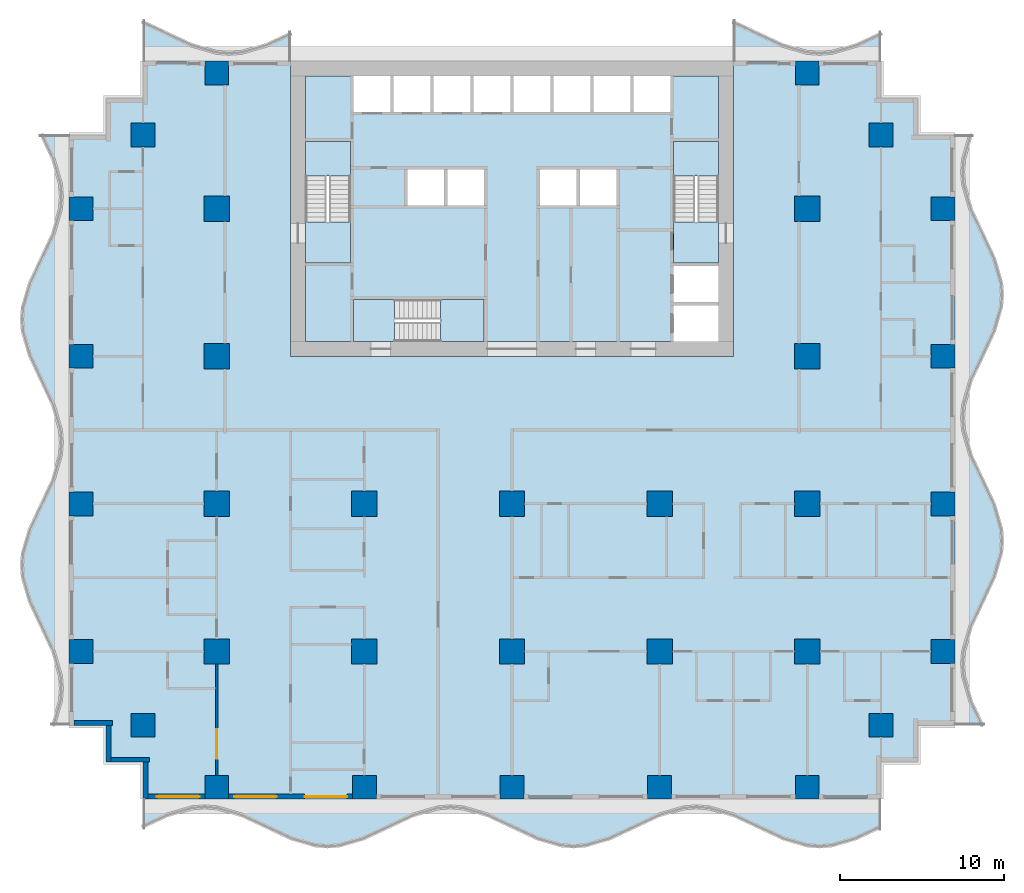
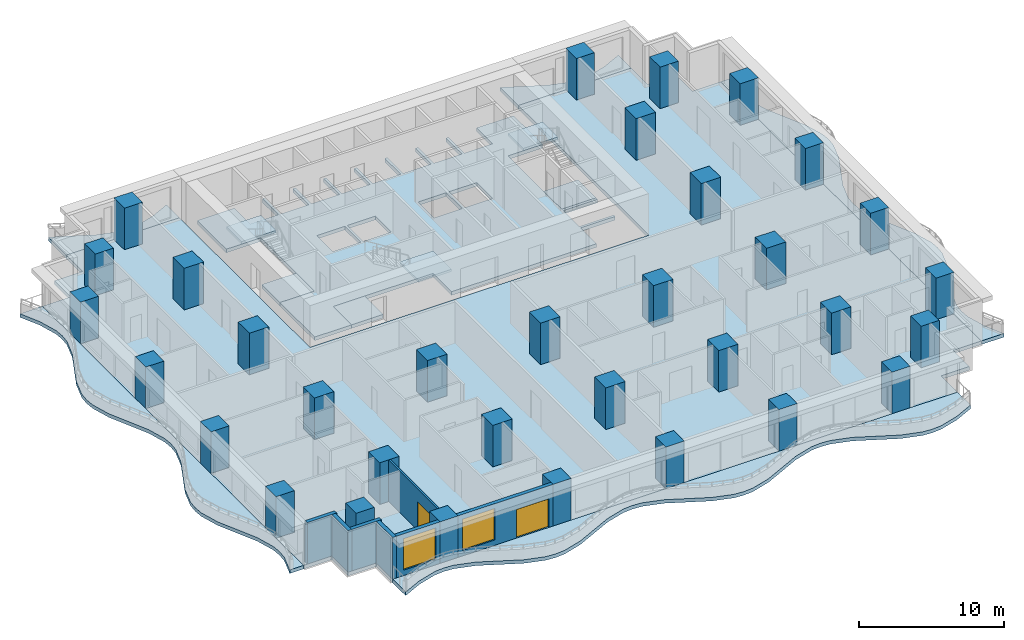
# One storey, part 1 of 14: 33 columns, 13 slabs, 7 walls, 2 doors, 2 windows, 4 openings, 3 elements without a shape of their own.
"""IFC4 building model written with IfcOpenShell, lengths in metres."""

from ifc_helpers import new_model, si_unit, direction, frame, frame_2d, origin, origin_2d, place, context, subcontext, project, spatial, polyline, rectangle, outline, extrude, material, layer, layer_set, material_profile, profile_set, type_object, element, fill, aggregate, save


model = new_model("IFC4")

# Units and contexts
model_context = context("Model", 3, precision=1e-05, world=origin(), true_north=direction((0.0, 1.0)))
body_context = subcontext(model_context, "Body", "Model", "MODEL_VIEW")
ifc_project = project(units=[si_unit("LENGTHUNIT", "METRE"), si_unit("AREAUNIT", "SQUARE_METRE"), si_unit("VOLUMEUNIT", "CUBIC_METRE"), si_unit("PLANEANGLEUNIT", "RADIAN"), si_unit("MASSUNIT", "GRAM", prefix="KILO")], contexts=[model_context])

# Site, building, storey
site_placement = place(None, origin())
site = spatial("IfcSite", under=ifc_project, at=site_placement, CompositionType="ELEMENT")
building_placement = place(site_placement, origin())
building = spatial("IfcBuilding", under=site, at=building_placement, Name="Orbiselva Terraces", CompositionType="ELEMENT")
storey_placement = place(building_placement, frame((0.0, 0.0, 30.2)))
storey = spatial("IfcBuildingStorey", under=building, at=storey_placement, Name="L07", CompositionType="ELEMENT", Elevation=30.2)

# Columns
ifc_material_1 = material(Name="Concrete C80/95", Category="concrete")
ifc_material_profile_1 = material_profile(ifc_material_1, rectangle(XDim=1.55, YDim=1.55, at=origin_2d()), Name="RC 1550x1550")
ifc_profile_set_1 = profile_set([ifc_material_profile_1], Name="Concrete C80/95")
column_type_1 = type_object("IfcColumnType", Name="COLUMN RC 1550x1550", PredefinedType="COLUMN", material=ifc_profile_set_1)
for number, where, z_axis, x_axis, name in (
    (1, (-18.0, -13.5, 0.0), (0.0, 0.0, 1.0), (1.0, 0.0, 0.0), "Column L07-01"),
    (2, (-18.0, -4.5, 0.0), (0.0, 0.0, 1.0), (1.0, 0.0, 0.0), "Column L07-03"),
    (3, (-18.0, 13.5, 0.0), (0.0, 0.0, 1.0), (1.0, 0.0, 0.0), "Column L07-04"),
    (4, (-18.0, 4.5, 0.0), (0.0, 0.0, 1.0), (1.0, 0.0, 0.0), "Column L07-06"),
    (5, (-9.0, -13.5, 0.0), (0.0, 0.0, 1.0), (1.0, 0.0, 0.0), "Column L07-13"),
    (6, (-9.0, -4.5, 0.0), (0.0, 0.0, 1.0), (1.0, 0.0, 0.0), "Column L07-15"),
    (7, (0.0, -13.5, 0.0), (0.0, 0.0, 1.0), (1.0, 0.0, 0.0), "Column L07-16"),
    (8, (0.0, -4.5, 0.0), (0.0, 0.0, 1.0), (1.0, 0.0, 0.0), "Column L07-18"),
    (9, (18.0, -13.5, 0.0), (0.0, 0.0, 1.0), (1.0, 0.0, 0.0), "Column L07-19"),
    (10, (18.0, -4.5, 0.0), (0.0, 0.0, 1.0), (1.0, 0.0, 0.0), "Column L07-21"),
    (11, (18.0, 13.5, 0.0), (0.0, 0.0, 1.0), (1.0, 0.0, 0.0), "Column L07-22"),
    (12, (18.0, 4.5, 0.0), (0.0, 0.0, 1.0), (1.0, 0.0, 0.0), "Column L07-24"),
    (13, (9.0, -13.5, 0.0), (0.0, 0.0, 1.0), (1.0, 0.0, 0.0), "Column L07-31"),
    (14, (9.0, -4.5, 0.0), (0.0, 0.0, 1.0), (1.0, 0.0, 0.0), "Column L07-33"),
):
    element("IfcColumn", number, at=place(storey_placement, frame(where, z_axis=z_axis, x_axis=x_axis)), inside=storey, type_object=column_type_1, Name=name, PredefinedType="COLUMN", context=body_context, shape_type="SweptSolid", body=[
        extrude(rectangle(XDim=1.55, YDim=1.55, at=origin_2d()), origin(), (0.0, 0.0, 1.0), 3.5),
    ])
ifc_material_2 = material(Name="Concrete C70/85", Category="concrete")
ifc_material_profile_2 = material_profile(ifc_material_2, rectangle(XDim=1.45, YDim=1.45, at=origin_2d()), Name="RC 1450x1450")
ifc_profile_set_2 = profile_set([ifc_material_profile_2], Name="Concrete C70/85")
column_type_2 = type_object("IfcColumnType", Name="PERIMETER COLUMN RC 1450x1450", PredefinedType="COLUMN", material=ifc_profile_set_2)
for number, where, z_axis, x_axis, name in (
    (15, (-18.0, -21.775, 0.0), (0.0, 0.0, 1.0), (1.0, 0.0, 0.0), "Column L07-02"),
    (16, (-18.0, 21.775, 0.0), (0.0, 0.0, 1.0), (1.0, 0.0, 0.0), "Column L07-05"),
    (17, (-26.275, -13.5, 0.0), (0.0, 0.0, 1.0), (1.0, 0.0, 0.0), "Column L07-07"),
    (18, (-22.5, -18.0, 0.0), (0.0, 0.0, 1.0), (1.0, 0.0, 0.0), "Column L07-08"),
    (19, (-26.275, -4.5, 0.0), (0.0, 0.0, 1.0), (1.0, 0.0, 0.0), "Column L07-09"),
    (20, (-26.275, 13.5, 0.0), (0.0, 0.0, 1.0), (1.0, 0.0, 0.0), "Column L07-10"),
    (21, (-22.5, 18.0, 0.0), (0.0, 0.0, 1.0), (1.0, 0.0, 0.0), "Column L07-11"),
    (22, (-26.275, 4.5, 0.0), (0.0, 0.0, 1.0), (1.0, 0.0, 0.0), "Column L07-12"),
    (23, (-9.0, -21.775, 0.0), (0.0, 0.0, 1.0), (1.0, 0.0, 0.0), "Column L07-14"),
    (24, (0.0, -21.775, 0.0), (0.0, 0.0, 1.0), (1.0, 0.0, 0.0), "Column L07-17"),
    (25, (18.0, -21.775, 0.0), (0.0, 0.0, 1.0), (1.0, 0.0, 0.0), "Column L07-20"),
    (26, (18.0, 21.775, 0.0), (0.0, 0.0, 1.0), (1.0, 0.0, 0.0), "Column L07-23"),
    (27, (26.275, -13.5, 0.0), (0.0, 0.0, 1.0), (1.0, 0.0, 0.0), "Column L07-25"),
    (28, (22.5, -18.0, 0.0), (0.0, 0.0, 1.0), (1.0, 0.0, 0.0), "Column L07-26"),
    (29, (26.275, -4.5, 0.0), (0.0, 0.0, 1.0), (1.0, 0.0, 0.0), "Column L07-27"),
    (30, (26.275, 13.5, 0.0), (0.0, 0.0, 1.0), (1.0, 0.0, 0.0), "Column L07-28"),
    (31, (22.5, 18.0, 0.0), (0.0, 0.0, 1.0), (1.0, 0.0, 0.0), "Column L07-29"),
    (32, (26.275, 4.5, 0.0), (0.0, 0.0, 1.0), (1.0, 0.0, 0.0), "Column L07-30"),
    (33, (9.0, -21.775, 0.0), (0.0, 0.0, 1.0), (1.0, 0.0, 0.0), "Column L07-32"),
):
    element("IfcColumn", number, at=place(storey_placement, frame(where, z_axis=z_axis, x_axis=x_axis)), inside=storey, type_object=column_type_2, Name=name, PredefinedType="COLUMN", context=body_context, shape_type="SweptSolid", body=[
        extrude(rectangle(XDim=1.45, YDim=1.45, at=origin_2d()), origin(), (0.0, 0.0, 1.0), 3.5),
    ])

# Slabs
ifc_material_3 = material(Name="Concrete C40/50", Category="concrete")
ifc_layer_1 = layer(ifc_material_3, 0.3)
ifc_layer_set_1 = layer_set([ifc_layer_1], Name="Concrete C40/50")
slab_type_1 = type_object("IfcSlabType", Name="CORE-SLAB-FLOOR-300", PredefinedType="FLOOR", material=ifc_layer_set_1)
slab_1_placement = place(storey_placement, frame((0.0, 0.0, -0.3)))
element("IfcSlab", 34, at=slab_1_placement, inside=storey, type_object=slab_type_1, Name="L07 S1 floor landing", PredefinedType="FLOOR", context=body_context, shape_type="SweptSolid", body=[
    extrude(outline(polyline([(-12.6, 12.7), (-9.85, 12.7), (-9.85, 10.2), (-12.6, 10.2), (-12.6, 12.7)])), origin(), (0.0, 0.0, 1.0), 0.3),
])
slab_2_placement = place(storey_placement, frame((0.0, 0.0, -0.3)))
element("IfcSlab", 35, at=slab_2_placement, inside=storey, type_object=slab_type_1, Name="L07 S2 floor landing", PredefinedType="FLOOR", context=body_context, shape_type="SweptSolid", body=[
    extrude(outline(polyline([(12.6, 12.7), (12.6, 10.2), (9.85, 10.2), (9.85, 12.7), (12.6, 12.7)])), origin(), (0.0, 0.0, 1.0), 0.3),
])
slab_3_placement = place(storey_placement, frame((0.0, 0.0, -0.3)))
element("IfcSlab", 36, at=slab_3_placement, inside=storey, type_object=slab_type_1, Name="L07 S3 floor landing", PredefinedType="FLOOR", context=body_context, shape_type="SweptSolid", body=[
    extrude(outline(polyline([(-7.15, 5.4), (-9.65, 5.4), (-9.65, 7.95), (-7.15, 7.95), (-7.15, 5.4)])), origin(), (0.0, 0.0, 1.0), 0.3),
])
slab_4_placement = place(storey_placement, frame((0.0, 0.0, -0.3)))
element("IfcSlab", 37, at=slab_4_placement, inside=storey, type_object=slab_type_1, Name="L07 core floor slab 1", PredefinedType="FLOOR", context=body_context, shape_type="SweptSolid", body=[
    extrude(outline(polyline([(-1.7, 5.4), (-1.7, 7.95), (-9.65, 7.95), (-9.65, 5.4), (-12.6, 5.4), (-12.6, 10.2), (-9.85, 10.2), (-9.85, 17.6), (-12.6, 17.6), (-12.6, 21.6), (-9.65, 21.6), (-9.65, 19.4), (-7.4125, 19.4), (-7.4125, 21.6), (-7.2125, 21.6), (-7.2125, 19.4), (-4.975, 19.4), (-4.975, 21.6), (-4.775, 21.6), (-4.775, 19.4), (-2.5375, 19.4), (-2.5375, 21.6), (-2.3375, 21.6), (-2.3375, 19.4), (-0.1, 19.4), (-0.1, 21.6), (0.1, 21.6), (0.1, 19.4), (2.3375, 19.4), (2.3375, 21.6), (2.5375, 21.6), (2.5375, 19.4), (4.775, 19.4), (4.775, 21.6), (4.975, 21.6), (4.975, 19.4), (7.2125, 19.4), (7.2125, 21.6), (7.4125, 21.6), (7.4125, 19.4), (9.65, 19.4), (9.65, 21.6), (12.6, 21.6), (12.6, 17.6), (9.85, 17.6), (9.85, 10.2), (12.6, 10.2), (12.6, 10.0), (9.85, 10.0), (9.85, 7.8), (12.6, 7.8), (12.6, 7.6), (9.85, 7.6), (9.85, 5.4), (-1.7, 5.4)]), holes=[polyline([(-4.1375, 13.7), (-4.1375, 15.9), (-6.375, 15.9), (-6.375, 13.7), (-4.1375, 13.7)]), polyline([(-1.7, 13.7), (-1.7, 15.9), (-3.9375, 15.9), (-3.9375, 13.7), (-1.7, 13.7)]), polyline([(3.9375, 13.7), (3.9375, 15.9), (1.7, 15.9), (1.7, 13.7), (3.9375, 13.7)]), polyline([(6.375, 13.7), (6.375, 15.9), (4.1375, 15.9), (4.1375, 13.7), (6.375, 13.7)])]), origin(), (0.0, 0.0, 1.0), 0.3),
])

# Stair, slab
stair_type_1 = type_object("IfcStairType", Name="CORE-STAIR-1300", PredefinedType="HALF_TURN_STAIR", material=ifc_material_3)
stair_1_placement = place(storey_placement, origin())
stair_1 = element("IfcStair", 38, at=stair_1_placement, inside=storey, type_object=stair_type_1, Name="L07 Exit Stair S1", PredefinedType="HALF_TURN_STAIR")
ifc_layer_2 = layer(ifc_material_3, 0.2)
ifc_layer_set_2 = layer_set([ifc_layer_2], Name="Concrete C40/50")
slab_type_2 = type_object("IfcSlabType", Name="CORE-STAIR-LANDING-200", PredefinedType="LANDING", material=ifc_layer_set_2)
slab_5_placement = place(storey_placement, frame((0.0, 0.0, 1.7)))
slab_5 = element("IfcSlab", 39, at=slab_5_placement, type_object=slab_type_2, Name="S1 landing 1", PredefinedType="LANDING", context=body_context, shape_type="SweptSolid", body=[
    extrude(outline(polyline([(-9.85, 15.5), (-9.85, 17.6), (-12.6, 17.6), (-12.6, 15.5), (-9.85, 15.5)])), origin(), (0.0, 0.0, 1.0), 0.2),
])
aggregate(stair_1, [slab_5])

stair_2_placement = place(storey_placement, origin())
stair_2 = element("IfcStair", 40, at=stair_2_placement, inside=storey, type_object=stair_type_1, Name="L07 Exit Stair S2", PredefinedType="HALF_TURN_STAIR")
slab_6_placement = place(storey_placement, frame((0.0, 0.0, 1.7)))
slab_6 = element("IfcSlab", 41, at=slab_6_placement, type_object=slab_type_2, Name="S2 landing 1", PredefinedType="LANDING", context=body_context, shape_type="SweptSolid", body=[
    extrude(outline(polyline([(12.6, 15.5), (12.6, 17.6), (9.85, 17.6), (9.85, 15.5), (12.6, 15.5)])), origin(), (0.0, 0.0, 1.0), 0.2),
])
aggregate(stair_2, [slab_6])

stair_type_2 = type_object("IfcStairType", Name="CORE-STAIR-1200", PredefinedType="HALF_TURN_STAIR", material=ifc_material_3)
stair_3_placement = place(storey_placement, origin())
stair_3 = element("IfcStair", 42, at=stair_3_placement, inside=storey, type_object=stair_type_2, Name="L07 Exit Stair S3", PredefinedType="HALF_TURN_STAIR")
slab_7_placement = place(storey_placement, frame((0.0, 0.0, 1.7)))
slab_7 = element("IfcSlab", 43, at=slab_7_placement, type_object=slab_type_2, Name="S3 landing 1", PredefinedType="LANDING", context=body_context, shape_type="SweptSolid", body=[
    extrude(outline(polyline([(-4.35, 5.4), (-1.7, 5.4), (-1.7, 7.95), (-4.35, 7.95), (-4.35, 5.4)])), origin(), (0.0, 0.0, 1.0), 0.2),
])
aggregate(stair_3, [slab_7])

# Slabs
ifc_material_4 = material(Name="Concrete C50/60", Category="concrete")
ifc_layer_3 = layer(ifc_material_4, 0.3)
ifc_layer_set_3 = layer_set([ifc_layer_3], Name="Concrete C50/60")
slab_type_3 = type_object("IfcSlabType", Name="ENV-BALCONY-SLAB-300", PredefinedType="FLOOR", material=ifc_layer_set_3)
slab_8_placement = place(storey_placement, frame((0.0, 0.0, -0.3)))
element("IfcSlab", 44, at=slab_8_placement, inside=storey, type_object=slab_type_3, Name="Balcony slab L07 S", PredefinedType="FLOOR", context=body_context, shape_type="SweptSolid", body=[
    extrude(outline(polyline([(-22.5, -24.3), (-21.0, -23.594658), (-19.5, -23.158732), (-18.75, -23.1), (-18.0, -23.158732), (-16.5, -23.594658), (-13.5, -25.005342), (-12.0, -25.441268), (-11.25, -25.5), (-10.5, -25.441268), (-9.0, -25.005342), (-6.0, -23.594658), (-4.5, -23.158732), (-3.75, -23.1), (-3.0, -23.158732), (-1.5, -23.594658), (1.5, -25.005342), (3.0, -25.441268), (3.75, -25.5), (4.5, -25.441268), (6.0, -25.005342), (9.0, -23.594658), (10.5, -23.158732), (11.25, -23.1), (12.0, -23.158732), (13.5, -23.594658), (16.5, -25.005342), (18.0, -25.441268), (18.75, -25.5), (19.5, -25.441268), (21.0, -25.005342), (22.5, -24.3), (22.5, -22.5), (-22.5, -22.5), (-22.5, -24.3)])), origin(), (0.0, 0.0, 1.0), 0.3),
])
slab_9_placement = place(storey_placement, frame((0.0, 0.0, -0.3)))
element("IfcSlab", 45, at=slab_9_placement, inside=storey, type_object=slab_type_3, Name="Balcony slab L07 E", PredefinedType="FLOOR", context=body_context, shape_type="SweptSolid", body=[
    extrude(outline(polyline([(28.8, -18.0), (28.094658, -16.5), (27.658732, -15.0), (27.6, -14.25), (27.658732, -13.5), (28.094658, -12.0), (29.505342, -9.0), (29.941268, -7.5), (30.0, -6.75), (29.941268, -6.0), (29.505342, -4.5), (28.094658, -1.5), (27.658732, 0.0), (27.6, 0.75), (27.658732, 1.5), (28.094658, 3.0), (29.505342, 6.0), (29.941268, 7.5), (30.0, 8.25), (29.941268, 9.0), (29.505342, 10.5), (28.094658, 13.5), (27.658732, 15.0), (27.6, 15.75), (27.658732, 16.5), (28.094658, 18.0), (27.0, 18.0), (27.0, -18.0), (28.8, -18.0)])), origin(), (0.0, 0.0, 1.0), 0.3),
])
slab_10_placement = place(storey_placement, frame((0.0, 0.0, -0.3)))
element("IfcSlab", 46, at=slab_10_placement, inside=storey, type_object=slab_type_3, Name="Balcony slab L07 NE", PredefinedType="FLOOR", context=body_context, shape_type="SweptSolid", body=[
    extrude(outline(polyline([(22.5, 24.3), (21.0, 23.594658), (19.5, 23.158732), (18.75, 23.1), (18.0, 23.158732), (16.5, 23.594658), (13.5, 25.005342), (13.5, 22.5), (22.5, 22.5), (22.5, 24.3)])), origin(), (0.0, 0.0, 1.0), 0.3),
])
slab_11_placement = place(storey_placement, frame((0.0, 0.0, -0.3)))
element("IfcSlab", 47, at=slab_11_placement, inside=storey, type_object=slab_type_3, Name="Balcony slab L07 NW", PredefinedType="FLOOR", context=body_context, shape_type="SweptSolid", body=[
    extrude(outline(polyline([(-13.5, 24.3), (-15.0, 23.594658), (-16.5, 23.158732), (-17.25, 23.1), (-18.0, 23.158732), (-19.5, 23.594658), (-22.5, 25.005342), (-22.5, 22.5), (-13.5, 22.5), (-13.5, 24.3)])), origin(), (0.0, 0.0, 1.0), 0.3),
])
slab_12_placement = place(storey_placement, frame((0.0, 0.0, -0.3)))
element("IfcSlab", 48, at=slab_12_placement, inside=storey, type_object=slab_type_3, Name="Balcony slab L07 W", PredefinedType="FLOOR", context=body_context, shape_type="SweptSolid", body=[
    extrude(outline(polyline([(-28.8, 18.0), (-28.094658, 16.5), (-27.658732, 15.0), (-27.6, 14.25), (-27.658732, 13.5), (-28.094658, 12.0), (-29.505342, 9.0), (-29.941268, 7.5), (-30.0, 6.75), (-29.941268, 6.0), (-29.505342, 4.5), (-28.094658, 1.5), (-27.658732, 0.0), (-27.6, -0.75), (-27.658732, -1.5), (-28.094658, -3.0), (-29.505342, -6.0), (-29.941268, -7.5), (-30.0, -8.25), (-29.941268, -9.0), (-29.505342, -10.5), (-28.094658, -13.5), (-27.658732, -15.0), (-27.6, -15.75), (-27.658732, -16.5), (-28.094658, -18.0), (-27.0, -18.0), (-27.0, 18.0), (-28.8, 18.0)])), origin(), (0.0, 0.0, 1.0), 0.3),
])
ifc_layer_4 = layer(ifc_material_4, 0.3)
ifc_layer_set_4 = layer_set([ifc_layer_4], Name="Concrete C50/60")
slab_type_4 = type_object("IfcSlabType", Name="FLOOR SLAB 300", PredefinedType="FLOOR", material=ifc_layer_set_4)
slab_13_placement = place(storey_placement, frame((0.0, 0.0, -0.3)))
element("IfcSlab", 49, at=slab_13_placement, inside=storey, type_object=slab_type_4, Name="Floor slab L07", PredefinedType="FLOOR", context=body_context, shape_type="SweptSolid", body=[
    extrude(outline(polyline([(22.5, 22.5), (22.5, 20.25), (24.75, 20.25), (24.75, 18.0), (27.0, 18.0), (27.0, -18.0), (24.75, -18.0), (24.75, -20.25), (22.5, -20.25), (22.5, -22.5), (-22.5, -22.5), (-22.5, -20.25), (-24.75, -20.25), (-24.75, -18.0), (-27.0, -18.0), (-27.0, 18.0), (-24.75, 18.0), (-24.75, 20.25), (-22.5, 20.25), (-22.5, 22.5), (-13.5, 22.5), (-13.5, 4.5), (13.5, 4.5), (13.5, 22.5), (22.5, 22.5)])), origin(), (0.0, 0.0, 1.0), 0.3),
])

# Wall, opening, window
ifc_material_5 = material(Name="Terracotta cladding on masonry backing", Category="masonry")
ifc_layer_5 = layer(ifc_material_5, 0.3)
ifc_layer_set_5 = layer_set([ifc_layer_5], Name="Terracotta cladding on masonry backing")
wall_type_1 = type_object("IfcWallType", Name="ENV-WALL-TERRACOTTA-300", PredefinedType="SOLIDWALL", material=ifc_layer_set_5)
wall_1_placement = place(storey_placement, frame((-18.725, -22.35, 0.0), z_axis=(0.0, 0.0, 1.0), x_axis=(-1.0, 0.0, 0.0)))
wall_1 = element("IfcWall", 50, at=wall_1_placement, inside=storey, type_object=wall_type_1, Name="Facade wall L07 S", PredefinedType="SOLIDWALL", context=body_context, shape_type="SweptSolid", body=[
    extrude(rectangle(XDim=3.475, YDim=0.3, at=frame_2d((1.7375, 0.0))), origin(), (0.0, 0.0, 1.0), 3.5),
])
opening_1_placement = place(wall_1_placement, frame((0.325, 0.0, 0.45)))
opening_1 = element("IfcOpeningElement", 51, at=opening_1_placement, cuts=wall_1, Name="Opening WN1", PredefinedType="OPENING", context=body_context, shape_type="SweptSolid", body=[
    extrude(rectangle(XDim=2.6, YDim=2.65, at=frame_2d((1.3, 1.325))), frame((0.0, 0.16, 0.0), z_axis=(0.0, -1.0, 0.0), x_axis=(1.0, 0.0, 0.0)), (0.0, 0.0, 1.0), 0.32),
])
ifc_material_6 = material(Name="Clear low-e glazing in aluminium frame", Category="aluminium")
window_type = type_object("IfcWindowType", Name="WINDOW 2600 X 2650 S450", PartitioningType="TRIPLE_PANEL_VERTICAL", PredefinedType="WINDOW", material=ifc_material_6)
window_1_placement = place(opening_1_placement, origin())
window_1 = element("IfcWindow", 52, at=window_1_placement, inside=storey, type_object=window_type, Name="Window L07 S", OverallHeight=2.65, OverallWidth=2.6, PartitioningType="SINGLE_PANEL", PredefinedType="WINDOW", context=body_context, shape_type="SweptSolid", body=[
    extrude(rectangle(XDim=2.6, YDim=2.65, at=frame_2d((1.3, 1.325))), frame((0.0, 0.03, 0.0), z_axis=(0.0, -1.0, 0.0), x_axis=(1.0, 0.0, 0.0)), (0.0, 0.0, 1.0), 0.06),
])
fill(opening_1, window_1)

# Wall, openings, door, window
wall_2_placement = place(storey_placement, frame((-9.725, -22.35, 0.0), z_axis=(0.0, 0.0, 1.0), x_axis=(-1.0, 0.0, 0.0)))
wall_2 = element("IfcWall", 53, at=wall_2_placement, inside=storey, type_object=wall_type_1, Name="Facade wall L07 S", PredefinedType="SOLIDWALL", context=body_context, shape_type="SweptSolid", body=[
    extrude(rectangle(XDim=7.55, YDim=0.3, at=frame_2d((3.775, 0.0))), origin(), (0.0, 0.0, 1.0), 3.5),
])
opening_2_placement = place(wall_2_placement, frame((4.625, 0.0, 0.45)))
opening_2 = element("IfcOpeningElement", 54, at=opening_2_placement, cuts=wall_2, Name="Opening WN1", PredefinedType="OPENING", context=body_context, shape_type="SweptSolid", body=[
    extrude(rectangle(XDim=2.6, YDim=2.65, at=frame_2d((1.3, 1.325))), frame((0.0, 0.16, 0.0), z_axis=(0.0, -1.0, 0.0), x_axis=(1.0, 0.0, 0.0)), (0.0, 0.0, 1.0), 0.32),
])
opening_3_placement = place(wall_2_placement, frame((0.325, 0.0, 0.0)))
opening_3 = element("IfcOpeningElement", 55, at=opening_3_placement, cuts=wall_2, Name="Opening Z1-B-E01", PredefinedType="OPENING", context=body_context, shape_type="SweptSolid", body=[
    extrude(rectangle(XDim=2.6, YDim=2.4, at=frame_2d((1.3, 1.2))), frame((0.0, 0.16, 0.0), z_axis=(0.0, -1.0, 0.0), x_axis=(1.0, 0.0, 0.0)), (0.0, 0.0, 1.0), 0.32),
])
door_type_1 = type_object("IfcDoorType", Name="BALCONY DOOR 2600 X 2400", OperationType="DOUBLE_DOOR_SLIDING", PredefinedType="DOOR", material=ifc_material_6)
door_1_placement = place(opening_3_placement, origin())
door_1 = element("IfcDoor", 56, at=door_1_placement, inside=storey, type_object=door_type_1, Name="Z1-B-E01", OperationType="SINGLE_SWING_LEFT", OverallHeight=2.4, OverallWidth=2.6, PredefinedType="DOOR", context=body_context, shape_type="SweptSolid", body=[
    extrude(rectangle(XDim=2.6, YDim=2.4, at=frame_2d((1.3, 1.2))), frame((0.0, 0.025, 0.0), z_axis=(0.0, -1.0, 0.0), x_axis=(1.0, 0.0, 0.0)), (0.0, 0.0, 1.0), 0.05),
])
fill(opening_3, door_1)
window_2_placement = place(opening_2_placement, origin())
window_2 = element("IfcWindow", 57, at=window_2_placement, inside=storey, type_object=window_type, Name="Window L07 S", OverallHeight=2.65, OverallWidth=2.6, PartitioningType="SINGLE_PANEL", PredefinedType="WINDOW", context=body_context, shape_type="SweptSolid", body=[
    extrude(rectangle(XDim=2.6, YDim=2.65, at=frame_2d((1.3, 1.325))), frame((0.0, 0.03, 0.0), z_axis=(0.0, -1.0, 0.0), x_axis=(1.0, 0.0, 0.0)), (0.0, 0.0, 1.0), 0.06),
])
fill(opening_2, window_2)

# Walls
wall_3_placement = place(storey_placement, frame((-24.35, -17.85, 0.0), z_axis=(0.0, 0.0, 1.0), x_axis=(-1.0, 0.0, 0.0)))
element("IfcWall", 58, at=wall_3_placement, inside=storey, type_object=wall_type_1, Name="Facade wall L07 STEP", PredefinedType="SOLIDWALL", context=body_context, shape_type="SweptSolid", body=[
    extrude(rectangle(XDim=2.35, YDim=0.3, at=frame_2d((1.175, 0.0))), origin(), (0.0, 0.0, 1.0), 3.5),
])
wall_4_placement = place(storey_placement, frame((-24.6, -20.25, 0.0), z_axis=(0.0, 0.0, 1.0), x_axis=(0.0, 1.0, 0.0)))
element("IfcWall", 59, at=wall_4_placement, inside=storey, type_object=wall_type_1, Name="Facade wall L07 STEP", PredefinedType="SOLIDWALL", context=body_context, shape_type="SweptSolid", body=[
    extrude(rectangle(XDim=2.25, YDim=0.3, at=frame_2d((1.125, 0.0))), origin(), (0.0, 0.0, 1.0), 3.5),
])
wall_5_placement = place(storey_placement, frame((-22.1, -20.1, 0.0), z_axis=(0.0, 0.0, 1.0), x_axis=(-1.0, 0.0, 0.0)))
element("IfcWall", 60, at=wall_5_placement, inside=storey, type_object=wall_type_1, Name="Facade wall L07 STEP", PredefinedType="SOLIDWALL", context=body_context, shape_type="SweptSolid", body=[
    extrude(rectangle(XDim=2.35, YDim=0.3, at=frame_2d((1.175, 0.0))), origin(), (0.0, 0.0, 1.0), 3.5),
])
wall_6_placement = place(storey_placement, frame((-22.35, -22.5, 0.0), z_axis=(0.0, 0.0, 1.0), x_axis=(0.0, 1.0, 0.0)))
element("IfcWall", 61, at=wall_6_placement, inside=storey, type_object=wall_type_1, Name="Facade wall L07 STEP", PredefinedType="SOLIDWALL", context=body_context, shape_type="SweptSolid", body=[
    extrude(rectangle(XDim=2.25, YDim=0.3, at=frame_2d((1.125, 0.0))), origin(), (0.0, 0.0, 1.0), 3.5),
])

# Wall, opening, door
ifc_material_7 = material(Name="Plasterboard on steel stud partition", Category="steel")
ifc_layer_6 = layer(ifc_material_7, 0.15)
ifc_layer_set_6 = layer_set([ifc_layer_6], Name="Plasterboard on steel stud partition")
wall_type_2 = type_object("IfcWallType", Name="UNIT-PARTITION-150", PredefinedType="PARTITIONING", material=ifc_layer_set_6)
wall_7_placement = place(storey_placement, frame((-18.0, -21.05, 0.0), z_axis=(0.0, 0.0, 1.0), x_axis=(0.0, 1.0, 0.0)))
wall_7 = element("IfcWall", 62, at=wall_7_placement, inside=storey, type_object=wall_type_2, Name="PARTITION L07-046", PredefinedType="PARTITIONING", context=body_context, shape_type="SweptSolid", body=[
    extrude(rectangle(XDim=6.775, YDim=0.15, at=frame_2d((3.3875, 0.0))), origin(), (0.0, 0.0, 1.0), 3.5),
])
opening_4_placement = place(wall_7_placement, frame((1.0, 0.0, 0.0)))
opening_4 = element("IfcOpeningElement", 63, at=opening_4_placement, cuts=wall_7, Name="Opening Z1-B-21", PredefinedType="OPENING", context=body_context, shape_type="SweptSolid", body=[
    extrude(rectangle(XDim=1.8, YDim=2.4, at=frame_2d((0.9, 1.2))), frame((0.0, 0.085, 0.0), z_axis=(0.0, -1.0, 0.0), x_axis=(1.0, 0.0, 0.0)), (0.0, 0.0, 1.0), 0.17),
])
ifc_material_8 = material(Name="Painted timber door leaf", Category="wood")
door_type_2 = type_object("IfcDoorType", Name="DOUBLE DOOR 1800", OperationType="NOTDEFINED", PredefinedType="DOOR", material=ifc_material_8)
door_2_placement = place(opening_4_placement, origin())
door_2 = element("IfcDoor", 64, at=door_2_placement, inside=storey, type_object=door_type_2, Name="Z1-B-21", OperationType="DOUBLE_DOOR_SINGLE_SWING", OverallHeight=2.4, OverallWidth=1.8, PredefinedType="DOOR", context=body_context, shape_type="SweptSolid", body=[
    extrude(rectangle(XDim=1.8, YDim=2.4, at=frame_2d((0.9, 1.2))), frame((0.0, 0.025, 0.0), z_axis=(0.0, -1.0, 0.0), x_axis=(1.0, 0.0, 0.0)), (0.0, 0.0, 1.0), 0.05),
])
fill(opening_4, door_2)

save(model, "model.ifc")
